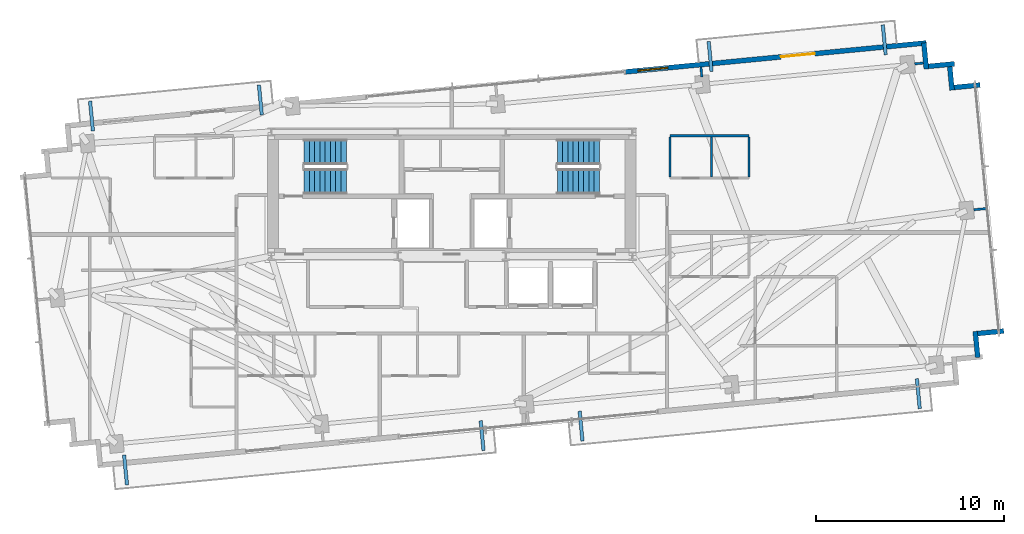
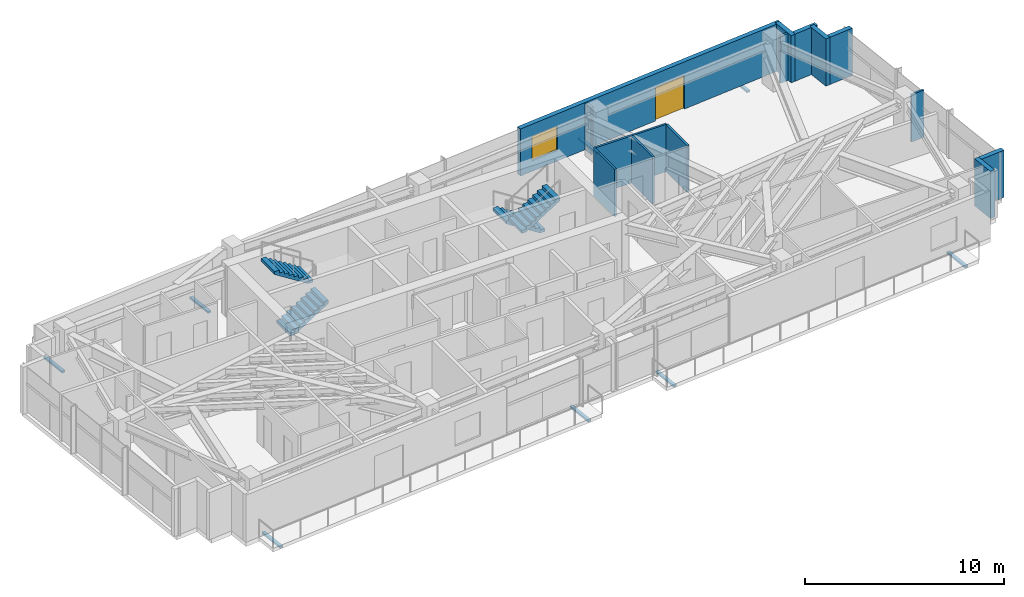
# One storey, part 16 of 18: 14 walls, 8 discrete accessories, 4 stair flights, 1 door, 1 window, 2 openings, 2 elements without a shape of their own.
"""IFC4 building model written with IfcOpenShell, lengths in metres."""

import ifcopenshell
import ifcopenshell.guid

model = None  # the IFC model being written
_history = None  # IfcOwnerHistory: only IFC2X3 demands one
_inside = {}  # id of a spatial element -> (the spatial element, [elements in it])
_under = {}  # id of a project, library or spatial element -> (it, [spatial elements below it])
_declared = {}  # id of a project -> (the project, [libraries it declares])
_typed = {}  # id of a type object -> (the type object, [elements of that type])
_made_of = {}  # id of a material, layer set ... -> (it, [elements and type objects made of it])


def new_model(schema):
    """Start an empty IFC model of exactly this schema.

    Asked for "IFC4X3", IfcOpenShell would pick the latest addendum, in which some entities
    have other attributes; the version numbers below select the first issue.
    IFC2X3 requires an IfcOwnerHistory on every rooted entity: one is made here for all.
    """
    global model, _history
    if schema == "IFC4X3":
        model = ifcopenshell.file(schema_version=(4, 3, 0, 0))
    else:
        model = ifcopenshell.file(schema=schema)
    _inside.clear()
    _under.clear()
    _declared.clear()
    _typed.clear()
    _made_of.clear()
    _history = None
    if model.schema == "IFC2X3":
        org = make("IfcOrganization", Name="unknown")
        user = make(
            "IfcPersonAndOrganization",
            ThePerson=make("IfcPerson", FamilyName="unknown"),
            TheOrganization=org,
        )
        app = make(
            "IfcApplication",
            ApplicationDeveloper=org,
            Version="unknown",
            ApplicationFullName="unknown",
            ApplicationIdentifier="unknown",
        )
        _history = make(
            "IfcOwnerHistory",
            OwningUser=user,
            OwningApplication=app,
            ChangeAction="ADDED",
            CreationDate=0,
        )
    return model


def make(cls, **values):
    """One entity of the class cls with the attributes given. An attribute that is None is left unset."""
    return model.create_entity(
        cls, **{name: value for name, value in values.items() if value is not None}
    )


def rooted(cls, **values):
    """An entity with a GlobalId (a new one), such as an element, a storey or a relation."""
    return make(cls, GlobalId=ifcopenshell.guid.new(), OwnerHistory=_history, **values)


def si_unit(unit_type, name, prefix=None):
    """IfcSIUnit, for example si_unit("LENGTHUNIT", "METRE", prefix="MILLI")."""
    return make("IfcSIUnit", UnitType=unit_type, Prefix=prefix, Name=name)


def assignment(units):
    """IfcUnitAssignment: the units of a project."""
    return None if units is None else make("IfcUnitAssignment", Units=units)


def point(xyz):
    """IfcCartesianPoint."""
    return None if xyz is None else make("IfcCartesianPoint", Coordinates=xyz)


def direction(xyz):
    """IfcDirection."""
    return None if xyz is None else make("IfcDirection", DirectionRatios=xyz)


def frame(location, z_axis=None, x_axis=None):
    """IfcAxis2Placement3D, a coordinate frame: its origin and axes. An axis left out is left unset."""
    return make(
        "IfcAxis2Placement3D",
        Location=point(location),
        Axis=direction(z_axis),
        RefDirection=direction(x_axis),
    )


def frame_2d(location, x_axis=None):
    """IfcAxis2Placement2D, a coordinate frame in the plane: its origin and x axis."""
    return make(
        "IfcAxis2Placement2D", Location=point(location), RefDirection=direction(x_axis)
    )


def origin():
    """The frame at (0, 0, 0) with its axes left unset."""
    return frame((0.0, 0.0, 0.0))


def origin_2d():
    """The frame at (0, 0) in the plane with its x axis left unset."""
    return frame_2d((0.0, 0.0))


def place(relative_to, where):
    """IfcLocalPlacement: puts the frame where relative to a parent placement (None: the world)."""
    return make(
        "IfcLocalPlacement", PlacementRelTo=relative_to, RelativePlacement=where
    )


def context(
    kind, dimensions, precision=None, world=None, true_north=None, identifier=None
):
    """IfcGeometricRepresentationContext, for example the 3D "Model" context."""
    return make(
        "IfcGeometricRepresentationContext",
        ContextIdentifier=identifier,
        ContextType=kind,
        CoordinateSpaceDimension=dimensions,
        Precision=precision,
        WorldCoordinateSystem=world,
        TrueNorth=true_north,
    )


def subcontext(parent, identifier, kind, view, scale=None):
    """IfcGeometricRepresentationSubContext, for example "Body" below "Model"."""
    return make(
        "IfcGeometricRepresentationSubContext",
        ContextIdentifier=identifier,
        ContextType=kind,
        ParentContext=parent,
        TargetScale=scale,
        TargetView=view,
    )


def project(units=None, contexts=None):
    """IfcProject with its units and contexts."""
    return rooted(
        "IfcProject",
        Name="project",
        RepresentationContexts=contexts,
        UnitsInContext=assignment(units),
    )


def spatial(cls, under=None, at=None, **own):
    """A site, building, storey or space (cls), placed at a placement, below another one or the project."""
    s = rooted(cls, ObjectPlacement=at, **own)
    if under is not None:
        _under.setdefault(under.id(), (under, []))[1].append(s)
    return s


def polyline(points):
    """IfcPolyline through the points."""
    return make("IfcPolyline", Points=[point(p) for p in points])


def profile(cls, at=None, kind="AREA", **sizes):
    """A parametric profile (cls). Its sizes go by their IFC names, for example OverallWidth=200.0."""
    return make(cls, ProfileType=kind, Position=at, **sizes)


def rectangle(**sizes):
    """IfcRectangleProfileDef."""
    return profile("IfcRectangleProfileDef", **sizes)


def outline(outer, holes=None, kind="AREA"):
    """IfcArbitraryClosedProfileDef: a profile drawn as a closed curve; with holes, ...WithVoids."""
    if holes is None:
        return make("IfcArbitraryClosedProfileDef", ProfileType=kind, OuterCurve=outer)
    return make(
        "IfcArbitraryProfileDefWithVoids",
        ProfileType=kind,
        OuterCurve=outer,
        InnerCurves=holes,
    )


def extrude(swept, where, along, depth):
    """IfcExtrudedAreaSolid: the profile swept, set in the frame where, extruded along a direction by depth."""
    return make(
        "IfcExtrudedAreaSolid",
        SweptArea=swept,
        Position=where,
        ExtrudedDirection=direction(along),
        Depth=depth,
    )


def shape(context_of_items, identifier, shape_type, items):
    """IfcShapeRepresentation: the items that make up one representation, for example the "Body"."""
    return make(
        "IfcShapeRepresentation",
        ContextOfItems=context_of_items,
        RepresentationIdentifier=identifier,
        RepresentationType=shape_type,
        Items=items,
    )


def source(mapping_origin, context_of_items, identifier, shape_type, items):
    """IfcRepresentationMap: a shape defined once, which mapped items show again and again."""
    return make(
        "IfcRepresentationMap",
        MappingOrigin=mapping_origin,
        MappedRepresentation=shape(context_of_items, identifier, shape_type, items),
    )


def transform(
    local_origin,
    x_axis=None,
    y_axis=None,
    z_axis=None,
    scale=None,
    scale2=None,
    scale3=None,
    uniform=True,
):
    """IfcCartesianTransformationOperator3D, or its non-uniform kind. x_axis, y_axis, z_axis: its Axis1, 2, 3."""
    if uniform:
        return make(
            "IfcCartesianTransformationOperator3D",
            Axis1=direction(x_axis),
            Axis2=direction(y_axis),
            LocalOrigin=point(local_origin),
            Scale=scale,
            Axis3=direction(z_axis),
        )
    return make(
        "IfcCartesianTransformationOperator3DnonUniform",
        Axis1=direction(x_axis),
        Axis2=direction(y_axis),
        LocalOrigin=point(local_origin),
        Scale=scale,
        Axis3=direction(z_axis),
        Scale2=scale2,
        Scale3=scale3,
    )


def mapped(mapping_source, mapping_target):
    """IfcMappedItem: shows the shape of a source again, moved by a transform."""
    return make(
        "IfcMappedItem", MappingSource=mapping_source, MappingTarget=mapping_target
    )


def material(Name=None, Category=None):
    """IfcMaterial."""
    return make("IfcMaterial", Name=Name, Category=Category)


def layer(
    of_material, thickness, ventilated=None, Name=None, Category=None, Priority=None
):
    """IfcMaterialLayer: one layer of a wall or slab, of a material (None: an air gap)."""
    return make(
        "IfcMaterialLayer",
        Material=of_material,
        LayerThickness=thickness,
        IsVentilated=ventilated,
        Name=Name,
        Category=Category,
        Priority=Priority,
    )


def layer_set(layers, Name=None):
    """IfcMaterialLayerSet."""
    return make("IfcMaterialLayerSet", MaterialLayers=layers, LayerSetName=Name)


def made_of(thing, what):
    """Note that an element or type object is made of a material, layer set ...; save() writes the relation."""
    if what is not None:
        _made_of.setdefault(what.id(), (what, []))[1].append(thing)
    return thing


def type_object(cls, material=None, **own):
    """A type object (cls), such as IfcWallType, which elements share."""
    return made_of(rooted(cls, **own), material)


def type_shapes(of_type, sources):
    """Give a type object the sources (RepresentationMaps) that its elements show as mapped items."""
    of_type.RepresentationMaps = sources


def element(
    cls,
    number,
    at=None,
    inside=None,
    cuts=None,
    type_object=None,
    material=None,
    context=None,
    identifier="Body",
    shape_type=None,
    held_by="IfcProductDefinitionShape",
    body=None,
    shapes=None,
    **own,
):
    """One element of the class cls, such as IfcWall. Its Tag is "e" and its number.

    at: its placement. inside: the storey or other place that contains it. cuts: it is an
    opening in that element (IfcRelVoidsElement). A single representation is given by context,
    identifier, shape_type and body (its items); several are given by shapes. held_by: the class
    of the entity that holds the representations. save() writes the other relations.
    """
    e = rooted(cls, Tag="e%d" % number, ObjectPlacement=at, **own)
    if body is not None:
        shapes = [shape(context, identifier, shape_type, body)]
    if shapes is not None:
        e.Representation = make(held_by, Representations=shapes)
    if inside is not None:
        _inside.setdefault(inside.id(), (inside, []))[1].append(e)
    if cuts is not None:
        rooted(
            "IfcRelVoidsElement", RelatingBuildingElement=cuts, RelatedOpeningElement=e
        )
    if type_object is not None:
        _typed.setdefault(type_object.id(), (type_object, []))[1].append(e)
    return made_of(e, material)


def fill(opening, filler):
    """IfcRelFillsElement: the door or window that sits in an opening."""
    return rooted(
        "IfcRelFillsElement",
        RelatingOpeningElement=opening,
        RelatedBuildingElement=filler,
    )


def aggregate(whole, parts):
    """IfcRelAggregates: a whole, such as a stair, and the parts it consists of."""
    return rooted("IfcRelAggregates", RelatingObject=whole, RelatedObjects=parts)


def save(model, path):
    """Write the relations noted so far, then the file.

    IfcRelAggregates (storeys below a building ...), IfcRelContainedInSpatialStructure (elements
    in a storey), IfcRelDefinesByType, IfcRelAssociatesMaterial and IfcRelDeclares: one each for
    every whole, place, type object, material and project.
    """
    for whole, parts in _under.values():
        aggregate(whole, parts)
    for where, things in _inside.values():
        rooted(
            "IfcRelContainedInSpatialStructure",
            RelatedElements=things,
            RelatingStructure=where,
        )
    for kind, things in _typed.values():
        rooted("IfcRelDefinesByType", RelatedObjects=things, RelatingType=kind)
    for what, things in _made_of.values():
        rooted("IfcRelAssociatesMaterial", RelatedObjects=things, RelatingMaterial=what)
    for by, libraries in _declared.values():
        rooted("IfcRelDeclares", RelatingContext=by, RelatedDefinitions=libraries)
    model.write(path)


model = new_model("IFC4")

# Units and contexts
model_context = context("Model", 3, precision=1e-05, world=origin(), true_north=direction((0.0, 1.0)))
body_context = subcontext(model_context, "Body", "Model", "MODEL_VIEW")
ifc_project = project(units=[si_unit("LENGTHUNIT", "METRE"), si_unit("AREAUNIT", "SQUARE_METRE"), si_unit("VOLUMEUNIT", "CUBIC_METRE"), si_unit("PLANEANGLEUNIT", "RADIAN"), si_unit("MASSUNIT", "GRAM", prefix="KILO")], contexts=[model_context])

# Site, building, storey
site_placement = place(None, origin())
site = spatial("IfcSite", under=ifc_project, at=site_placement, CompositionType="ELEMENT")
building_placement = place(site_placement, origin())
building = spatial("IfcBuilding", under=site, at=building_placement, Name="Astriad Promenade Condominiums", CompositionType="ELEMENT")
storey_placement = place(building_placement, frame((0.0, 0.0, 208.199951171875)))
storey = spatial("IfcBuildingStorey", under=building, at=storey_placement, Name="L60", CompositionType="ELEMENT", Elevation=208.199951171875)

# Wall, openings, door, window
ifc_material_1 = material(Name="Precast concrete C50/60", Category="concrete")
ifc_layer_1 = layer(ifc_material_1, 0.260009765625)
ifc_layer_set_1 = layer_set([ifc_layer_1], Name="Precast concrete C50/60")
wall_type_1 = type_object("IfcWallType", Name="WALL-EXT-TWR-260", PredefinedType="STANDARD", material=ifc_layer_set_1)
wall_1_placement = place(storey_placement, frame((45.198974609375, 27.189697265625, 0.0), z_axis=(0.0, 0.0, 1.0), x_axis=(0.995397074604, 0.095836652014, 0.0)))
wall_1 = element("IfcWall", 1, at=wall_1_placement, inside=storey, type_object=wall_type_1, Name="W-EXT-L60-N2", PredefinedType="STANDARD", context=body_context, shape_type="SweptSolid", body=[
    extrude(rectangle(XDim=16.10009765625, YDim=0.260009765625, at=frame_2d((8.050048828125, 0.0))), origin(), (0.0, 0.0, 1.0), 2.900146484375),
])
opening_1_placement = place(wall_1_placement, frame((8.340087890625, 0.0, 0.0)))
opening_1 = element("IfcOpeningElement", 2, at=opening_1_placement, cuts=wall_1, Name="Opening BD-1822-SLD", PredefinedType="OPENING", context=body_context, shape_type="SweptSolid", body=[
    extrude(rectangle(XDim=1.800048828125, YDim=2.06005859375, at=frame_2d((0.89990234375, 1.030029296875))), frame((0.0, 0.139892578125, 0.0), z_axis=(0.0, -1.0, 0.0), x_axis=(1.0, 0.0, 0.0)), (0.0, 0.0, 1.0), 0.280029296875),
])
opening_2_placement = place(wall_1_placement, frame((0.699951171875, 0.0, 0.64990234375)))
opening_2 = element("IfcOpeningElement", 3, at=opening_2_placement, cuts=wall_1, Name="Opening WIN-TWR-1620", PredefinedType="OPENING", context=body_context, shape_type="SweptSolid", body=[
    extrude(rectangle(XDim=1.60009765625, YDim=1.5, at=frame_2d((0.800048828125, 0.75))), frame((0.0, 0.139892578125, 0.0), z_axis=(0.0, -1.0, 0.0), x_axis=(1.0, 0.0, 0.0)), (0.0, 0.0, 1.0), 0.280029296875),
])
ifc_material_2 = material(Name="Thermally Broken Aluminium Sliding Balcony Door", Category="aluminium")
door_type = type_object("IfcDoorType", Name="BD-1822-SLD", OperationType="NOTDEFINED", PredefinedType="DOOR", material=ifc_material_2)
shared_shape_1 = source(origin(), body_context, "Body", "SweptSolid", [
    extrude(rectangle(XDim=1.800048828125, YDim=2.06005859375, at=frame_2d((0.89990234375, 1.030029296875))), frame((0.0, 0.02490234375, 0.0), z_axis=(0.0, -1.0, 0.0), x_axis=(1.0, 0.0, 0.0)), (0.0, 0.0, 1.0), 0.050048828125),
])
type_shapes(door_type, [shared_shape_1])
door_placement = place(opening_1_placement, origin())
door = element("IfcDoor", 4, at=door_placement, inside=storey, type_object=door_type, Name="BD-L60-NE", OperationType="SLIDING_TO_RIGHT", OverallHeight=2.06005859375, OverallWidth=1.800048828125, PredefinedType="DOOR", context=body_context, shape_type="MappedRepresentation", body=[
    mapped(shared_shape_1, transform((0.0, 0.0, 0.0), scale=1.0)),
])
fill(opening_1, door)
ifc_material_3 = material(Name="Dark Tinted Triple-Glazed Aluminium Window", Category="aluminium")
window_type = type_object("IfcWindowType", Name="WIN-TWR-1620", PartitioningType="SINGLE_PANEL", PredefinedType="WINDOW", material=ifc_material_3)
shared_shape_2 = source(origin(), body_context, "Body", "SweptSolid", [
    extrude(rectangle(XDim=1.60009765625, YDim=1.5, at=frame_2d((0.800048828125, 0.75))), frame((0.0, 0.030029296875, 0.0), z_axis=(0.0, -1.0, 0.0), x_axis=(1.0, 0.0, 0.0)), (0.0, 0.0, 1.0), 0.06005859375),
])
type_shapes(window_type, [shared_shape_2])
window_placement = place(opening_2_placement, origin())
window = element("IfcWindow", 5, at=window_placement, inside=storey, type_object=window_type, Name="WIN-L60-NE", OverallHeight=1.5, OverallWidth=1.60009765625, PartitioningType="SINGLE_PANEL", PredefinedType="WINDOW", context=body_context, shape_type="MappedRepresentation", body=[
    mapped(shared_shape_2, transform((0.0, 0.0, 0.0), scale=1.0)),
])
fill(opening_2, window)

# Walls
wall_2_placement = place(storey_placement, frame((61.093994140625, 28.735107421875, 0.0), z_axis=(0.0, 0.0, 1.0), x_axis=(0.095742423056, -0.99540614245, 0.0)))
element("IfcWall", 6, at=wall_2_placement, inside=storey, type_object=wall_type_1, Name="W-SER-L60-09", PredefinedType="STANDARD", context=body_context, shape_type="SweptSolid", body=[
    extrude(rectangle(XDim=1.394775390625, YDim=0.260009765625, at=frame_2d((0.697265625, 0.0))), origin(), (0.0, 0.0, 1.0), 2.900146484375),
])
wall_3_placement = place(storey_placement, frame((61.32958984375, 27.487060546875, 0.0), z_axis=(0.0, 0.0, 1.0), x_axis=(0.995391056452, 0.09589913835, 0.0)))
element("IfcWall", 7, at=wall_3_placement, inside=storey, type_object=wall_type_1, Name="W-SER-L60-10", PredefinedType="STANDARD", context=body_context, shape_type="SweptSolid", body=[
    extrude(rectangle(XDim=1.39501953125, YDim=0.260009765625, at=frame_2d((0.697509765625, 0.0))), origin(), (0.0, 0.0, 1.0), 2.900146484375),
])
for number, where, z_axis, x_axis, name in (
    (8, (62.4580078125, 27.610595703125, 0.0), (0.0, 0.0, 1.0), (0.095915846097, -0.995389446633, 0.0), "W-SER-L60-11"),
    (9, (62.69384765625, 26.362548828125, 0.0), (0.0, 0.0, 1.0), (0.995389446633, 0.095915846097, 0.0), "W-SER-L60-12"),
):
    element("IfcWall", number, at=place(storey_placement, frame(where, z_axis=z_axis, x_axis=x_axis)), inside=storey, type_object=wall_type_1, Name=name, PredefinedType="STANDARD", context=body_context, shape_type="SweptSolid", body=[
        extrude(rectangle(XDim=1.394775390625, YDim=0.260009765625, at=frame_2d((0.697265625, 0.0))), origin(), (0.0, 0.0, 1.0), 2.900146484375),
    ])
wall_4_placement = place(storey_placement, frame((65.341796875, 13.416748046875, 0.0), z_axis=(0.0, 0.0, 1.0), x_axis=(-0.99540774648, -0.095725744959, 0.0)))
element("IfcWall", 10, at=wall_4_placement, inside=storey, type_object=wall_type_1, Name="W-SER-L60-14", PredefinedType="STANDARD", context=body_context, shape_type="SweptSolid", body=[
    extrude(rectangle(XDim=1.39501953125, YDim=0.260009765625, at=frame_2d((0.697509765625, 0.0))), origin(), (0.0, 0.0, 1.0), 2.900146484375),
])
wall_5_placement = place(storey_placement, frame((63.826171875, 13.4013671875, 0.0), z_axis=(0.0, 0.0, 1.0), x_axis=(0.095915846097, -0.995389446633, 0.0)))
element("IfcWall", 11, at=wall_5_placement, inside=storey, type_object=wall_type_1, Name="W-SER-L60-15", PredefinedType="STANDARD", context=body_context, shape_type="SweptSolid", body=[
    extrude(rectangle(XDim=1.394775390625, YDim=0.260009765625, at=frame_2d((0.697265625, 0.0))), origin(), (0.0, 0.0, 1.0), 2.900146484375),
])
ifc_material_4 = material(Name="Acoustic Metal-Stud Gypsum Partition")
ifc_layer_2 = layer(ifc_material_4, 0.1201171875)
ifc_layer_set_2 = layer_set([ifc_layer_2], Name="Acoustic Metal-Stud Gypsum Partition")
wall_type_2 = type_object("IfcWallType", Name="WALL-PART-120", PredefinedType="PARTITIONING", material=ifc_layer_set_2)
wall_6_placement = place(storey_placement, frame((47.60009765625, 23.800048828125, 0.0), z_axis=(0.0, 0.0, 1.0), x_axis=(1.0, 0.0, 0.0)))
element("IfcWall", 12, at=wall_6_placement, inside=storey, type_object=wall_type_2, Name="PT-L60-E2-PHN", PredefinedType="PARTITIONING", context=body_context, shape_type="SweptSolid", body=[
    extrude(rectangle(XDim=4.199951171875, YDim=0.1201171875, at=frame_2d((2.10009765625, 0.0))), origin(), (0.0, 0.0, 1.0), 2.900146484375),
])
for number, where, z_axis, x_axis, name in (
    (13, (47.60009765625, 21.612060546875, 0.0), (0.0, 0.0, 1.0), (0.0, 1.0, 0.0), "PT-L60-E2-PK1"),
    (14, (49.800048828125, 21.612060546875, 0.0), (0.0, 0.0, 1.0), (0.0, 1.0, 0.0), "PT-L60-E2-PK2"),
    (15, (51.800048828125, 21.612060546875, 0.0), (0.0, 0.0, 1.0), (0.0, 1.0, 0.0), "PT-L60-E2-PK3"),
):
    element("IfcWall", number, at=place(storey_placement, frame(where, z_axis=z_axis, x_axis=x_axis)), inside=storey, type_object=wall_type_2, Name=name, PredefinedType="PARTITIONING", context=body_context, shape_type="SweptSolid", body=[
        extrude(rectangle(XDim=2.1259765625, YDim=0.1201171875, at=frame_2d((1.06298828125, 0.0))), origin(), (0.0, 0.0, 1.0), 2.900146484375),
    ])
wall_7_placement = place(storey_placement, frame((49.29443359375, 26.910888671875, 0.0), z_axis=(0.0, 0.0, 1.0), x_axis=(-0.095772948675, 0.995403205893, 0.0)))
element("IfcWall", 16, at=wall_7_placement, inside=storey, type_object=wall_type_2, Name="PT-PIL-L60-PC09-16", PredefinedType="PARTITIONING", context=body_context, shape_type="SweptSolid", body=[
    extrude(rectangle(XDim=0.537841796875, YDim=0.1201171875, at=frame_2d((0.26904296875, 0.0))), origin(), (0.0, 0.0, 1.0), 2.900146484375),
])
wall_8_placement = place(storey_placement, frame((60.60888671875, 27.618408203125, 0.0), z_axis=(0.0, 0.0, 1.0), x_axis=(0.995384576284, 0.09596637586, 0.0)))
element("IfcWall", 17, at=wall_8_placement, inside=storey, type_object=wall_type_2, Name="PT-PIL-L60-PC10-17", PredefinedType="PARTITIONING", context=body_context, shape_type="SweptSolid", body=[
    extrude(rectangle(XDim=0.4580078125, YDim=0.1201171875, at=frame_2d((0.22900390625, 0.0))), origin(), (0.0, 0.0, 1.0), 2.900146484375),
])
wall_9_placement = place(storey_placement, frame((63.74658203125, 19.863525390625, 0.0), z_axis=(0.0, 0.0, 1.0), x_axis=(0.995405496295, 0.095749140702, 0.0)))
element("IfcWall", 18, at=wall_9_placement, inside=storey, type_object=wall_type_2, Name="PT-PIL-L60-PC12-19", PredefinedType="PARTITIONING", context=body_context, shape_type="SweptSolid", body=[
    extrude(rectangle(XDim=0.759765625, YDim=0.1201171875, at=frame_2d((0.3798828125, 0.0))), origin(), (0.0, 0.0, 1.0), 2.900146484375),
])

# Stair, stair flights
ifc_material_5 = material(Name="Concrete C50/60", Category="concrete")
stair_type = type_object("IfcStairType", Name="STR-CORE-1350", PredefinedType="HALF_TURN_STAIR", material=ifc_material_5)
stair_1_placement = place(storey_placement, origin())
stair_1 = element("IfcStair", 19, at=stair_1_placement, inside=storey, type_object=stair_type, Name="L60 Enclosed Core Exit Stair ST-1", PredefinedType="HALF_TURN_STAIR")
stair_flight_type = type_object("IfcStairFlightType", Name="SFL-CORE-1350", PredefinedType="STRAIGHT", material=ifc_material_5)
shared_shape_3 = source(origin(), body_context, "Body", "SweptSolid", [
    extrude(outline(polyline([(0.0, 0.0), (0.0, 0.177734375), (0.280029296875, 0.177734375), (0.280029296875, 0.35546875), (0.56005859375, 0.35546875), (0.56005859375, 0.533447265625), (0.840087890625, 0.533447265625), (0.840087890625, 0.711181640625), (1.1201171875, 0.711181640625), (1.1201171875, 0.888916015625), (1.39990234375, 0.888916015625), (1.39990234375, 1.066650390625), (1.679931640625, 1.066650390625), (1.679931640625, 1.244384765625), (1.9599609375, 1.244384765625), (1.9599609375, 1.422119140625), (2.239990234375, 1.422119140625), (2.239990234375, 1.60009765625), (2.239990234375, 1.24462890625), (0.27978515625, 0.0), (0.0, 0.0)])), frame((0.0, 0.675048828125, 0.0), z_axis=(0.0, -1.0, 0.0), x_axis=(1.0, 0.0, 0.0)), (0.0, 0.0, 1.0), 1.35009765625),
])
type_shapes(stair_flight_type, [shared_shape_3])
stair_flight_1_placement = place(storey_placement, frame((28.14990234375, 21.375, 0.0), z_axis=(0.0, 0.0, 1.0), x_axis=(1.0, 0.0, 0.0)))
stair_flight_1 = element("IfcStairFlight", 20, at=stair_flight_1_placement, type_object=stair_flight_type, Name="ST-1 flight 1", NumberOfRisers=9, NumberOfTreads=8, PredefinedType="STRAIGHT", RiserHeight=0.177777778, TreadLength=0.28, context=body_context, shape_type="MappedRepresentation", body=[
    mapped(shared_shape_3, transform((0.0, 0.0, 0.0), scale=1.0)),
])
stair_flight_2_placement = place(storey_placement, frame((30.389892578125, 22.925048828125, 1.60009765625), z_axis=(0.0, 0.0, 1.0), x_axis=(-1.0, 0.0, 0.0)))
stair_flight_2 = element("IfcStairFlight", 21, at=stair_flight_2_placement, type_object=stair_flight_type, Name="ST-1 flight 2", NumberOfRisers=9, NumberOfTreads=8, PredefinedType="STRAIGHT", RiserHeight=0.177777778, TreadLength=0.28, context=body_context, shape_type="MappedRepresentation", body=[
    mapped(shared_shape_3, transform((0.0, 0.0, 0.0), scale=1.0)),
])
aggregate(stair_1, [stair_flight_1, stair_flight_2])

stair_2_placement = place(storey_placement, origin())
stair_2 = element("IfcStair", 22, at=stair_2_placement, inside=storey, type_object=stair_type, Name="L60 Enclosed Core Exit Stair ST-2", PredefinedType="HALF_TURN_STAIR")
stair_flight_3_placement = place(storey_placement, frame((43.85009765625, 22.925048828125, 0.0), z_axis=(0.0, 0.0, 1.0), x_axis=(-1.0, 0.0, 0.0)))
stair_flight_3 = element("IfcStairFlight", 23, at=stair_flight_3_placement, type_object=stair_flight_type, Name="ST-2 flight 1", NumberOfRisers=9, NumberOfTreads=8, PredefinedType="STRAIGHT", RiserHeight=0.177777778, TreadLength=0.28, context=body_context, shape_type="MappedRepresentation", body=[
    mapped(shared_shape_3, transform((0.0, 0.0, 0.0), scale=1.0)),
])
stair_flight_4_placement = place(storey_placement, frame((41.610107421875, 21.375, 1.60009765625), z_axis=(0.0, 0.0, 1.0), x_axis=(1.0, 0.0, 0.0)))
stair_flight_4 = element("IfcStairFlight", 24, at=stair_flight_4_placement, type_object=stair_flight_type, Name="ST-2 flight 2", NumberOfRisers=9, NumberOfTreads=8, PredefinedType="STRAIGHT", RiserHeight=0.177777778, TreadLength=0.28, context=body_context, shape_type="MappedRepresentation", body=[
    mapped(shared_shape_3, transform((0.0, 0.0, 0.0), scale=1.0)),
])
aggregate(stair_2, [stair_flight_3, stair_flight_4])

# Discrete accessories
ifc_material_6 = material(Name="Steel ASTM A572 Grade 50", Category="steel")
discrete_accessory_type = type_object("IfcDiscreteAccessoryType", Name="STEEL BALCONY OUTRIGGER BRACKET", PredefinedType="BRACKET", material=ifc_material_6)
shared_shape_4 = source(origin(), body_context, "Body", "SweptSolid", [
    extrude(rectangle(XDim=1.60009765625, YDim=0.179931640625, at=origin_2d()), origin(), (0.0, 0.0, 1.0), 0.1220703125),
])
type_shapes(discrete_accessory_type, [shared_shape_4])
for number, where, z_axis, x_axis, name in (
    (25, (18.657958984375, 6.0283203125, -0.340087890625), (0.0, 0.0, 1.0), (0.09584575252, -0.995396198367, 0.0), "Balcony Outrigger Bracket BAL-L60-SW-A"),
    (26, (37.611328125, 7.853271484375, -0.340087890625), (0.0, 0.0, 1.0), (0.09584575252, -0.995396198367, 0.0), "Balcony Outrigger Bracket BAL-L60-SW-B"),
    (27, (42.87109375, 8.35986328125, -0.340087890625), (0.0, 0.0, 1.0), (0.09584575252, -0.995396198367, 0.0), "Balcony Outrigger Bracket BAL-L60-SE-A"),
    (28, (60.800048828125, 10.086181640625, -0.340087890625), (0.0, 0.0, 1.0), (0.09584575252, -0.995396198367, 0.0), "Balcony Outrigger Bracket BAL-L60-SE-B"),
    (29, (16.846435546875, 24.84130859375, -0.340087890625), (0.0, 0.0, 1.0), (-0.09584575252, 0.995396198367, 0.0), "Balcony Outrigger Bracket BAL-L60-NW-A"),
    (30, (25.822021484375, 25.70556640625, -0.340087890625), (0.0, 0.0, 1.0), (-0.09584575252, 0.995396198367, 0.0), "Balcony Outrigger Bracket BAL-L60-NW-B"),
    (31, (49.7314453125, 28.0078125, -0.340087890625), (0.0, 0.0, 1.0), (-0.09584575252, 0.995396198367, 0.0), "Balcony Outrigger Bracket BAL-L60-NE-A"),
    (32, (58.988525390625, 28.899169921875, -0.340087890625), (0.0, 0.0, 1.0), (-0.09584575252, 0.995396198367, 0.0), "Balcony Outrigger Bracket BAL-L60-NE-B"),
):
    element("IfcDiscreteAccessory", number, at=place(storey_placement, frame(where, z_axis=z_axis, x_axis=x_axis)), inside=storey, type_object=discrete_accessory_type, Name=name, PredefinedType="BRACKET", context=body_context, shape_type="MappedRepresentation", body=[
        mapped(shared_shape_4, transform((0.0, 0.0, 0.0), scale=1.0)),
    ])

save(model, "model.ifc")
